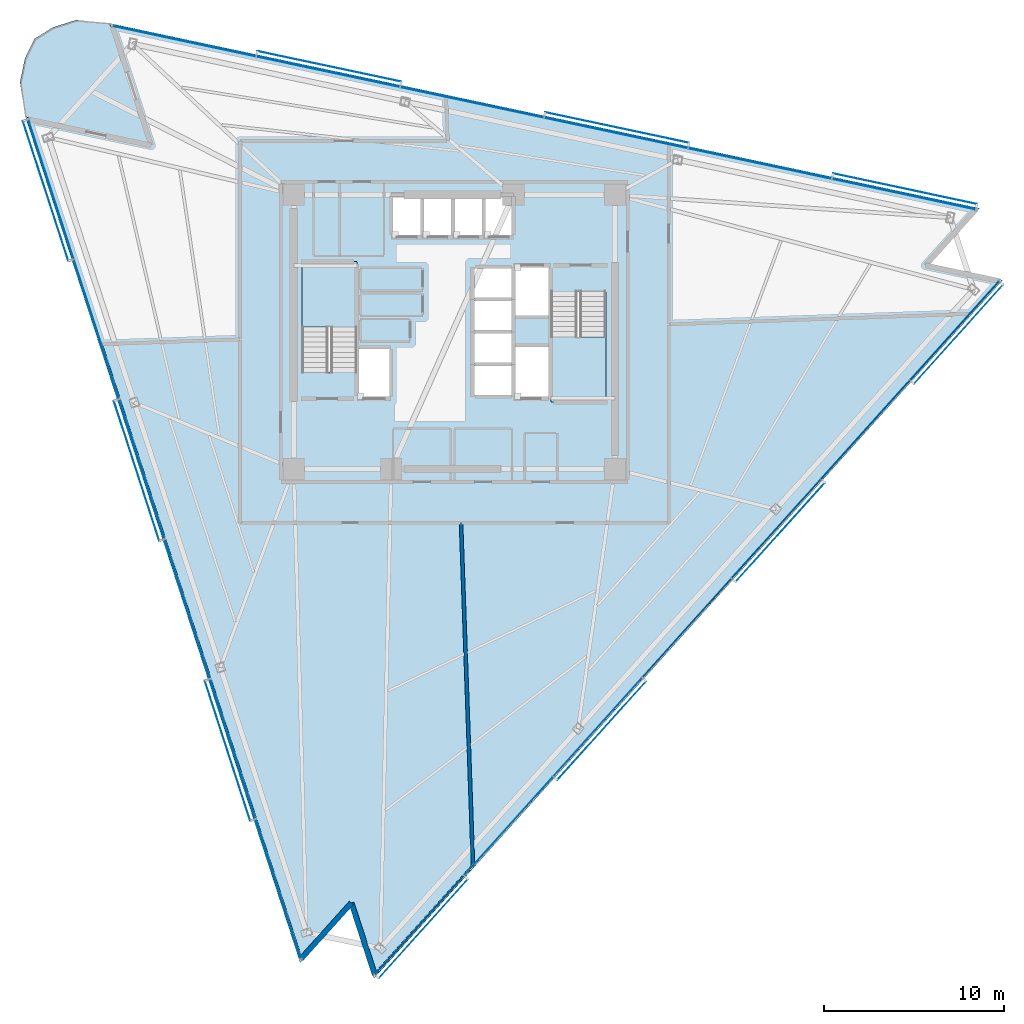
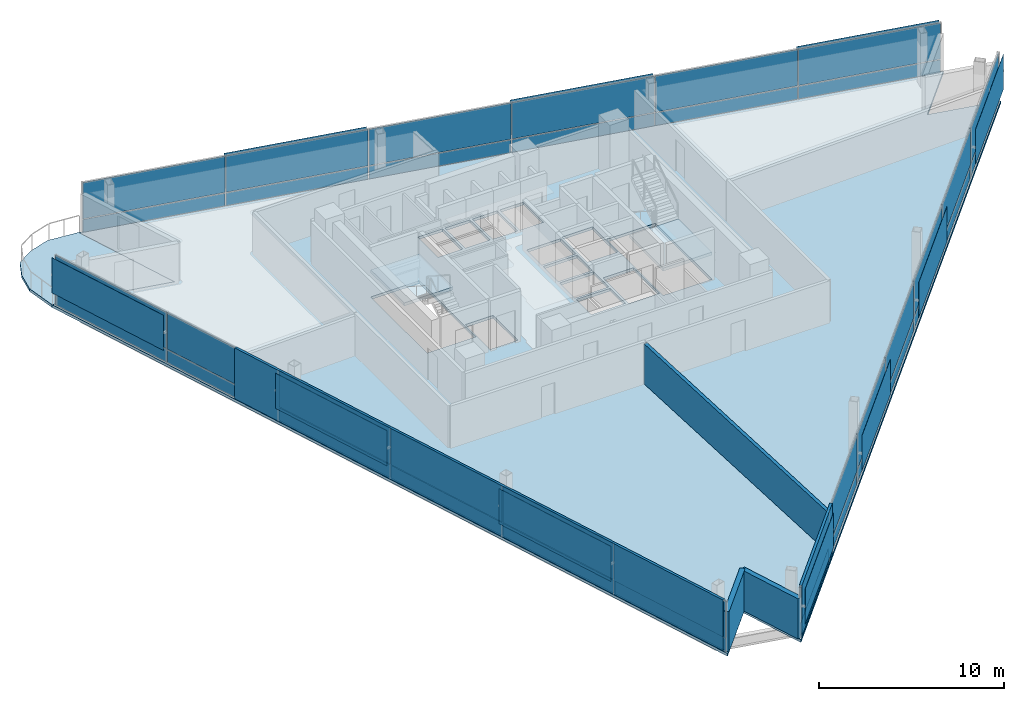
# One storey, part 9 of 17: 48 plates, 5 walls, 4 slabs, 5 elements without a shape of their own.
"""IFC4 building model written with IfcOpenShell, lengths in metres."""

import ifcopenshell
import ifcopenshell.guid

model = None  # the IFC model being written
_history = None  # IfcOwnerHistory: only IFC2X3 demands one
_inside = {}  # id of a spatial element -> (the spatial element, [elements in it])
_under = {}  # id of a project, library or spatial element -> (it, [spatial elements below it])
_declared = {}  # id of a project -> (the project, [libraries it declares])
_typed = {}  # id of a type object -> (the type object, [elements of that type])
_made_of = {}  # id of a material, layer set ... -> (it, [elements and type objects made of it])


def new_model(schema):
    """Start an empty IFC model of exactly this schema.

    Asked for "IFC4X3", IfcOpenShell would pick the latest addendum, in which some entities
    have other attributes; the version numbers below select the first issue.
    IFC2X3 requires an IfcOwnerHistory on every rooted entity: one is made here for all.
    """
    global model, _history
    if schema == "IFC4X3":
        model = ifcopenshell.file(schema_version=(4, 3, 0, 0))
    else:
        model = ifcopenshell.file(schema=schema)
    _inside.clear()
    _under.clear()
    _declared.clear()
    _typed.clear()
    _made_of.clear()
    _history = None
    if model.schema == "IFC2X3":
        org = make("IfcOrganization", Name="unknown")
        user = make(
            "IfcPersonAndOrganization",
            ThePerson=make("IfcPerson", FamilyName="unknown"),
            TheOrganization=org,
        )
        app = make(
            "IfcApplication",
            ApplicationDeveloper=org,
            Version="unknown",
            ApplicationFullName="unknown",
            ApplicationIdentifier="unknown",
        )
        _history = make(
            "IfcOwnerHistory",
            OwningUser=user,
            OwningApplication=app,
            ChangeAction="ADDED",
            CreationDate=0,
        )
    return model


def make(cls, **values):
    """One entity of the class cls with the attributes given. An attribute that is None is left unset."""
    return model.create_entity(
        cls, **{name: value for name, value in values.items() if value is not None}
    )


def rooted(cls, **values):
    """An entity with a GlobalId (a new one), such as an element, a storey or a relation."""
    return make(cls, GlobalId=ifcopenshell.guid.new(), OwnerHistory=_history, **values)


def si_unit(unit_type, name, prefix=None):
    """IfcSIUnit, for example si_unit("LENGTHUNIT", "METRE", prefix="MILLI")."""
    return make("IfcSIUnit", UnitType=unit_type, Prefix=prefix, Name=name)


def assignment(units):
    """IfcUnitAssignment: the units of a project."""
    return None if units is None else make("IfcUnitAssignment", Units=units)


def point(xyz):
    """IfcCartesianPoint."""
    return None if xyz is None else make("IfcCartesianPoint", Coordinates=xyz)


def direction(xyz):
    """IfcDirection."""
    return None if xyz is None else make("IfcDirection", DirectionRatios=xyz)


def frame(location, z_axis=None, x_axis=None):
    """IfcAxis2Placement3D, a coordinate frame: its origin and axes. An axis left out is left unset."""
    return make(
        "IfcAxis2Placement3D",
        Location=point(location),
        Axis=direction(z_axis),
        RefDirection=direction(x_axis),
    )


def frame_2d(location, x_axis=None):
    """IfcAxis2Placement2D, a coordinate frame in the plane: its origin and x axis."""
    return make(
        "IfcAxis2Placement2D", Location=point(location), RefDirection=direction(x_axis)
    )


def origin():
    """The frame at (0, 0, 0) with its axes left unset."""
    return frame((0.0, 0.0, 0.0))


def origin_2d():
    """The frame at (0, 0) in the plane with its x axis left unset."""
    return frame_2d((0.0, 0.0))


def place(relative_to, where):
    """IfcLocalPlacement: puts the frame where relative to a parent placement (None: the world)."""
    return make(
        "IfcLocalPlacement", PlacementRelTo=relative_to, RelativePlacement=where
    )


def context(
    kind, dimensions, precision=None, world=None, true_north=None, identifier=None
):
    """IfcGeometricRepresentationContext, for example the 3D "Model" context."""
    return make(
        "IfcGeometricRepresentationContext",
        ContextIdentifier=identifier,
        ContextType=kind,
        CoordinateSpaceDimension=dimensions,
        Precision=precision,
        WorldCoordinateSystem=world,
        TrueNorth=true_north,
    )


def subcontext(parent, identifier, kind, view, scale=None):
    """IfcGeometricRepresentationSubContext, for example "Body" below "Model"."""
    return make(
        "IfcGeometricRepresentationSubContext",
        ContextIdentifier=identifier,
        ContextType=kind,
        ParentContext=parent,
        TargetScale=scale,
        TargetView=view,
    )


def project(units=None, contexts=None):
    """IfcProject with its units and contexts."""
    return rooted(
        "IfcProject",
        Name="project",
        RepresentationContexts=contexts,
        UnitsInContext=assignment(units),
    )


def spatial(cls, under=None, at=None, **own):
    """A site, building, storey or space (cls), placed at a placement, below another one or the project."""
    s = rooted(cls, ObjectPlacement=at, **own)
    if under is not None:
        _under.setdefault(under.id(), (under, []))[1].append(s)
    return s


def polyline(points):
    """IfcPolyline through the points."""
    return make("IfcPolyline", Points=[point(p) for p in points])


def profile(cls, at=None, kind="AREA", **sizes):
    """A parametric profile (cls). Its sizes go by their IFC names, for example OverallWidth=200.0."""
    return make(cls, ProfileType=kind, Position=at, **sizes)


def rectangle(**sizes):
    """IfcRectangleProfileDef."""
    return profile("IfcRectangleProfileDef", **sizes)


def outline(outer, holes=None, kind="AREA"):
    """IfcArbitraryClosedProfileDef: a profile drawn as a closed curve; with holes, ...WithVoids."""
    if holes is None:
        return make("IfcArbitraryClosedProfileDef", ProfileType=kind, OuterCurve=outer)
    return make(
        "IfcArbitraryProfileDefWithVoids",
        ProfileType=kind,
        OuterCurve=outer,
        InnerCurves=holes,
    )


def extrude(swept, where, along, depth):
    """IfcExtrudedAreaSolid: the profile swept, set in the frame where, extruded along a direction by depth."""
    return make(
        "IfcExtrudedAreaSolid",
        SweptArea=swept,
        Position=where,
        ExtrudedDirection=direction(along),
        Depth=depth,
    )


def shape(context_of_items, identifier, shape_type, items):
    """IfcShapeRepresentation: the items that make up one representation, for example the "Body"."""
    return make(
        "IfcShapeRepresentation",
        ContextOfItems=context_of_items,
        RepresentationIdentifier=identifier,
        RepresentationType=shape_type,
        Items=items,
    )


def material(Name=None, Category=None):
    """IfcMaterial."""
    return make("IfcMaterial", Name=Name, Category=Category)


def layer(
    of_material, thickness, ventilated=None, Name=None, Category=None, Priority=None
):
    """IfcMaterialLayer: one layer of a wall or slab, of a material (None: an air gap)."""
    return make(
        "IfcMaterialLayer",
        Material=of_material,
        LayerThickness=thickness,
        IsVentilated=ventilated,
        Name=Name,
        Category=Category,
        Priority=Priority,
    )


def layer_set(layers, Name=None):
    """IfcMaterialLayerSet."""
    return make("IfcMaterialLayerSet", MaterialLayers=layers, LayerSetName=Name)


def made_of(thing, what):
    """Note that an element or type object is made of a material, layer set ...; save() writes the relation."""
    if what is not None:
        _made_of.setdefault(what.id(), (what, []))[1].append(thing)
    return thing


def type_object(cls, material=None, **own):
    """A type object (cls), such as IfcWallType, which elements share."""
    return made_of(rooted(cls, **own), material)


def element(
    cls,
    number,
    at=None,
    inside=None,
    cuts=None,
    type_object=None,
    material=None,
    context=None,
    identifier="Body",
    shape_type=None,
    held_by="IfcProductDefinitionShape",
    body=None,
    shapes=None,
    **own,
):
    """One element of the class cls, such as IfcWall. Its Tag is "e" and its number.

    at: its placement. inside: the storey or other place that contains it. cuts: it is an
    opening in that element (IfcRelVoidsElement). A single representation is given by context,
    identifier, shape_type and body (its items); several are given by shapes. held_by: the class
    of the entity that holds the representations. save() writes the other relations.
    """
    e = rooted(cls, Tag="e%d" % number, ObjectPlacement=at, **own)
    if body is not None:
        shapes = [shape(context, identifier, shape_type, body)]
    if shapes is not None:
        e.Representation = make(held_by, Representations=shapes)
    if inside is not None:
        _inside.setdefault(inside.id(), (inside, []))[1].append(e)
    if cuts is not None:
        rooted(
            "IfcRelVoidsElement", RelatingBuildingElement=cuts, RelatedOpeningElement=e
        )
    if type_object is not None:
        _typed.setdefault(type_object.id(), (type_object, []))[1].append(e)
    return made_of(e, material)


def aggregate(whole, parts):
    """IfcRelAggregates: a whole, such as a stair, and the parts it consists of."""
    return rooted("IfcRelAggregates", RelatingObject=whole, RelatedObjects=parts)


def save(model, path):
    """Write the relations noted so far, then the file.

    IfcRelAggregates (storeys below a building ...), IfcRelContainedInSpatialStructure (elements
    in a storey), IfcRelDefinesByType, IfcRelAssociatesMaterial and IfcRelDeclares: one each for
    every whole, place, type object, material and project.
    """
    for whole, parts in _under.values():
        aggregate(whole, parts)
    for where, things in _inside.values():
        rooted(
            "IfcRelContainedInSpatialStructure",
            RelatedElements=things,
            RelatingStructure=where,
        )
    for kind, things in _typed.values():
        rooted("IfcRelDefinesByType", RelatedObjects=things, RelatingType=kind)
    for what, things in _made_of.values():
        rooted("IfcRelAssociatesMaterial", RelatedObjects=things, RelatingMaterial=what)
    for by, libraries in _declared.values():
        rooted("IfcRelDeclares", RelatingContext=by, RelatedDefinitions=libraries)
    model.write(path)


model = new_model("IFC4")

# Units and contexts
model_context = context("Model", 3, precision=1e-05, world=origin(), true_north=direction((0.0, 1.0)))
body_context = subcontext(model_context, "Body", "Model", "MODEL_VIEW")
ifc_project = project(units=[si_unit("LENGTHUNIT", "METRE"), si_unit("AREAUNIT", "SQUARE_METRE"), si_unit("VOLUMEUNIT", "CUBIC_METRE"), si_unit("PLANEANGLEUNIT", "RADIAN"), si_unit("MASSUNIT", "GRAM", prefix="KILO")], contexts=[model_context])

# Site, building, storey
site_placement = place(None, origin())
site = spatial("IfcSite", under=ifc_project, at=site_placement, CompositionType="ELEMENT")
building_placement = place(site_placement, origin())
building = spatial("IfcBuilding", under=site, at=building_placement, Name="Tharavind Bronze Gate", CompositionType="ELEMENT")
storey_placement = place(building_placement, frame((0.0, 0.0, 218.449951171875)))
storey = spatial("IfcBuildingStorey", under=building, at=storey_placement, Name="L56", CompositionType="ELEMENT", Elevation=218.449951171875)

# Plates
ifc_material_1 = material(Name="Perforated Bronze Alloy", Category="bronze")
ifc_layer_1 = layer(ifc_material_1, 0.011962890625)
ifc_layer_set_1 = layer_set([ifc_layer_1], Name="Perforated Bronze Alloy")
plate_type_1 = type_object("IfcPlateType", Name="BRONZE PERFORATED SOLAR SCREEN", PredefinedType="USERDEFINED", material=ifc_layer_set_1)
for number, where, z_axis, x_axis, name in (
    (1, (-22.650634765625, 7.81103515625, 0.966796875), (0.0, 0.0, 1.0), (0.309016994375, -0.951056516295, 0.0), "CW-L56-S1 perforated bronze solar screen 1"),
    (2, (-17.610107421875, -7.701904296875, 0.966796875), (0.0, 0.0, 1.0), (0.309016994375, -0.951056516295, 0.0), "CW-L56-S1 perforated bronze solar screen 3"),
    (3, (-12.569580078125, -23.215087890625, 0.966796875), (0.0, 0.0, 1.0), (0.309016994375, -0.951056516295, 0.0), "CW-L56-S1 perforated bronze solar screen 5"),
):
    element("IfcPlate", number, at=place(storey_placement, frame(where, z_axis=z_axis, x_axis=x_axis)), inside=storey, type_object=plate_type_1, Name=name, ObjectType="SCREEN", PredefinedType="USERDEFINED", context=body_context, shape_type="SweptSolid", body=[
        extrude(rectangle(XDim=8.1357421875, YDim=0.011962890625, at=origin_2d()), origin(), (0.0, 0.0, 1.0), 2.326904296875),
    ])
for number, where, z_axis, x_axis, name in (
    (4, (-1.720703125, -33.081298828125, 0.966796875), (0.0, 0.0, 1.0), (0.669130606359, 0.743144825477, 0.0), "CW-L56-S2 perforated bronze solar screen 1"),
    (5, (8.168212890625, -22.098388671875, 0.966796875), (0.0, 0.0, 1.0), (0.669130606359, 0.743144825477, 0.0), "CW-L56-S2 perforated bronze solar screen 3"),
    (6, (18.057373046875, -11.115478515625, 0.966796875), (0.0, 0.0, 1.0), (0.669130606359, 0.743144825477, 0.0), "CW-L56-S2 perforated bronze solar screen 5"),
    (7, (27.9462890625, -0.132568359375, 0.966796875), (0.0, 0.0, 1.0), (0.669130606359, 0.743144825477, 0.0), "CW-L56-S2 perforated bronze solar screen 7"),
):
    element("IfcPlate", number, at=place(storey_placement, frame(where, z_axis=z_axis, x_axis=x_axis)), inside=storey, type_object=plate_type_1, Name=name, ObjectType="SCREEN", PredefinedType="USERDEFINED", context=body_context, shape_type="SweptSolid", body=[
        extrude(rectangle(XDim=7.369384765625, YDim=0.011962890625, at=origin_2d()), origin(), (0.0, 0.0, 1.0), 2.326904296875),
    ])
for number, where, z_axis, x_axis, name in (
    (8, (24.977783203125, 7.929931640625, 0.966796875), (0.0, 0.0, 1.0), (-0.978147600734, 0.207911690818, 0.0), "CW-L56-S3 perforated bronze solar screen 1"),
    (9, (9.022705078125, 11.3212890625, 0.966796875), (0.0, 0.0, 1.0), (-0.978147600734, 0.207911690818, 0.0), "CW-L56-S3 perforated bronze solar screen 3"),
    (10, (-6.93212890625, 14.712646484375, 0.966796875), (0.0, 0.0, 1.0), (-0.978147600734, 0.207911690818, 0.0), "CW-L56-S3 perforated bronze solar screen 5"),
):
    element("IfcPlate", number, at=place(storey_placement, frame(where, z_axis=z_axis, x_axis=x_axis)), inside=storey, type_object=plate_type_1, Name=name, ObjectType="SCREEN", PredefinedType="USERDEFINED", context=body_context, shape_type="SweptSolid", body=[
        extrude(rectangle(XDim=8.1357421875, YDim=0.011962890625, at=origin_2d()), origin(), (0.0, 0.0, 1.0), 2.326904296875),
    ])

# Curtain wall, plates
ifc_material_2 = material(Name="Anodised Bronze Aluminium", Category="aluminium")
ifc_layer_2 = layer(ifc_material_2, 0.219970703125)
ifc_layer_set_2 = layer_set([ifc_layer_2], Name="Anodised Bronze Aluminium")
curtain_wall_type = type_object("IfcCurtainWallType", Name="UNITISED CURTAIN WALL MID OFFICE", PredefinedType="USERDEFINED", material=ifc_layer_set_2)
curtain_wall_1_placement = place(storey_placement, origin())
curtain_wall_1 = element("IfcCurtainWall", 11, at=curtain_wall_1_placement, inside=storey, type_object=curtain_wall_type, Name="L56 unitised curtain wall mid office CW-L56-S1", ObjectType="UNITISED CURTAIN WALL", PredefinedType="USERDEFINED")
ifc_material_3 = material(Name="Patinated Bronze Alloy Sheet", Category="bronze")
ifc_layer_3 = layer(ifc_material_3, 0.01611328125)
ifc_layer_set_3 = layer_set([ifc_layer_3], Name="Patinated Bronze Alloy Sheet")
plate_type_2 = type_object("IfcPlateType", Name="BRONZE SPANDREL CLADDING PANEL 16", PredefinedType="CURTAIN_PANEL", material=ifc_layer_set_3)
plate_1_placement = place(storey_placement, frame((-22.3701171875, 7.902099609375, 0.0263671875), z_axis=(0.0, 0.0, 1.0), x_axis=(0.309016994375, -0.951056516295, 0.0)))
plate_1 = element("IfcPlate", 12, at=plate_1_placement, type_object=plate_type_2, Name="CW-L56-S1 bronze spandrel panel 1", PredefinedType="CURTAIN_PANEL", context=body_context, shape_type="SweptSolid", body=[
    extrude(rectangle(XDim=8.102783203125, YDim=0.01611328125, at=origin_2d()), origin(), (0.0, 0.0, 1.0), 0.846923828125),
])
plate_2_placement = place(storey_placement, frame((-19.849853515625, 0.145751953125, 0.0263671875), z_axis=(0.0, 0.0, 1.0), x_axis=(0.309016994375, -0.951056516295, 0.0)))
plate_2 = element("IfcPlate", 13, at=plate_2_placement, type_object=plate_type_2, Name="CW-L56-S1 bronze spandrel panel 2", PredefinedType="CURTAIN_PANEL", context=body_context, shape_type="SweptSolid", body=[
    extrude(rectangle(XDim=8.102783203125, YDim=0.01611328125, at=origin_2d()), origin(), (0.0, 0.0, 1.0), 0.846923828125),
])
plate_3_placement = place(storey_placement, frame((-17.32958984375, -7.61083984375, 0.0263671875), z_axis=(0.0, 0.0, 1.0), x_axis=(0.309016994375, -0.951056516295, 0.0)))
plate_3 = element("IfcPlate", 14, at=plate_3_placement, type_object=plate_type_2, Name="CW-L56-S1 bronze spandrel panel 3", PredefinedType="CURTAIN_PANEL", context=body_context, shape_type="SweptSolid", body=[
    extrude(rectangle(XDim=8.102783203125, YDim=0.01611328125, at=origin_2d()), origin(), (0.0, 0.0, 1.0), 0.846923828125),
])
plate_4_placement = place(storey_placement, frame((-14.809326171875, -15.367431640625, 0.0263671875), z_axis=(0.0, 0.0, 1.0), x_axis=(0.309016994375, -0.951056516295, 0.0)))
plate_4 = element("IfcPlate", 15, at=plate_4_placement, type_object=plate_type_2, Name="CW-L56-S1 bronze spandrel panel 4", PredefinedType="CURTAIN_PANEL", context=body_context, shape_type="SweptSolid", body=[
    extrude(rectangle(XDim=8.102783203125, YDim=0.01611328125, at=origin_2d()), origin(), (0.0, 0.0, 1.0), 0.846923828125),
])
plate_5_placement = place(storey_placement, frame((-12.2890625, -23.123779296875, 0.0263671875), z_axis=(0.0, 0.0, 1.0), x_axis=(0.309016994375, -0.951056516295, 0.0)))
plate_5 = element("IfcPlate", 16, at=plate_5_placement, type_object=plate_type_2, Name="CW-L56-S1 bronze spandrel panel 5", PredefinedType="CURTAIN_PANEL", context=body_context, shape_type="SweptSolid", body=[
    extrude(rectangle(XDim=8.102783203125, YDim=0.01611328125, at=origin_2d()), origin(), (0.0, 0.0, 1.0), 0.846923828125),
])
plate_6_placement = place(storey_placement, frame((-9.768798828125, -30.88037109375, 0.0263671875), z_axis=(0.0, 0.0, 1.0), x_axis=(0.309016994375, -0.951056516295, 0.0)))
plate_6 = element("IfcPlate", 17, at=plate_6_placement, type_object=plate_type_2, Name="CW-L56-S1 bronze spandrel panel 6", PredefinedType="CURTAIN_PANEL", context=body_context, shape_type="SweptSolid", body=[
    extrude(rectangle(XDim=8.102783203125, YDim=0.01611328125, at=origin_2d()), origin(), (0.0, 0.0, 1.0), 0.846923828125),
])

curtain_wall_2_placement = place(storey_placement, origin())
curtain_wall_2 = element("IfcCurtainWall", 18, at=curtain_wall_2_placement, inside=storey, type_object=curtain_wall_type, Name="L56 unitised curtain wall mid office CW-L56-S2", ObjectType="UNITISED CURTAIN WALL", PredefinedType="USERDEFINED")
plate_7_placement = place(storey_placement, frame((-1.93994140625, -32.8837890625, 0.0263671875), z_axis=(0.0, 0.0, 1.0), x_axis=(0.669130606359, 0.743144825477, 0.0)))
plate_7 = element("IfcPlate", 19, at=plate_7_placement, type_object=plate_type_2, Name="CW-L56-S2 bronze spandrel panel 1", PredefinedType="CURTAIN_PANEL", context=body_context, shape_type="SweptSolid", body=[
    extrude(rectangle(XDim=7.33642578125, YDim=0.01611328125, at=origin_2d()), origin(), (0.0, 0.0, 1.0), 0.846923828125),
])
plate_8_placement = place(storey_placement, frame((3.004638671875, -27.392333984375, 0.0263671875), z_axis=(0.0, 0.0, 1.0), x_axis=(0.669130606359, 0.743144825477, 0.0)))
plate_8 = element("IfcPlate", 20, at=plate_8_placement, type_object=plate_type_2, Name="CW-L56-S2 bronze spandrel panel 2", PredefinedType="CURTAIN_PANEL", context=body_context, shape_type="SweptSolid", body=[
    extrude(rectangle(XDim=7.33642578125, YDim=0.01611328125, at=origin_2d()), origin(), (0.0, 0.0, 1.0), 0.846923828125),
])
plate_9_placement = place(storey_placement, frame((7.94921875, -21.90087890625, 0.0263671875), z_axis=(0.0, 0.0, 1.0), x_axis=(0.669130606359, 0.743144825477, 0.0)))
plate_9 = element("IfcPlate", 21, at=plate_9_placement, type_object=plate_type_2, Name="CW-L56-S2 bronze spandrel panel 3", PredefinedType="CURTAIN_PANEL", context=body_context, shape_type="SweptSolid", body=[
    extrude(rectangle(XDim=7.33642578125, YDim=0.01611328125, at=origin_2d()), origin(), (0.0, 0.0, 1.0), 0.846923828125),
])
plate_10_placement = place(storey_placement, frame((12.8935546875, -16.409423828125, 0.0263671875), z_axis=(0.0, 0.0, 1.0), x_axis=(0.669130606359, 0.743144825477, 0.0)))
plate_10 = element("IfcPlate", 22, at=plate_10_placement, type_object=plate_type_2, Name="CW-L56-S2 bronze spandrel panel 4", PredefinedType="CURTAIN_PANEL", context=body_context, shape_type="SweptSolid", body=[
    extrude(rectangle(XDim=7.33642578125, YDim=0.01611328125, at=origin_2d()), origin(), (0.0, 0.0, 1.0), 0.846923828125),
])
plate_11_placement = place(storey_placement, frame((17.838134765625, -10.91796875, 0.0263671875), z_axis=(0.0, 0.0, 1.0), x_axis=(0.669130606359, 0.743144825477, 0.0)))
plate_11 = element("IfcPlate", 23, at=plate_11_placement, type_object=plate_type_2, Name="CW-L56-S2 bronze spandrel panel 5", PredefinedType="CURTAIN_PANEL", context=body_context, shape_type="SweptSolid", body=[
    extrude(rectangle(XDim=7.33642578125, YDim=0.01611328125, at=origin_2d()), origin(), (0.0, 0.0, 1.0), 0.846923828125),
])
plate_12_placement = place(storey_placement, frame((22.78271484375, -5.426513671875, 0.0263671875), z_axis=(0.0, 0.0, 1.0), x_axis=(0.669130606359, 0.743144825477, 0.0)))
plate_12 = element("IfcPlate", 24, at=plate_12_placement, type_object=plate_type_2, Name="CW-L56-S2 bronze spandrel panel 6", PredefinedType="CURTAIN_PANEL", context=body_context, shape_type="SweptSolid", body=[
    extrude(rectangle(XDim=7.33642578125, YDim=0.01611328125, at=origin_2d()), origin(), (0.0, 0.0, 1.0), 0.846923828125),
])
plate_13_placement = place(storey_placement, frame((27.72705078125, 0.06494140625, 0.0263671875), z_axis=(0.0, 0.0, 1.0), x_axis=(0.669130606359, 0.743144825477, 0.0)))
plate_13 = element("IfcPlate", 25, at=plate_13_placement, type_object=plate_type_2, Name="CW-L56-S2 bronze spandrel panel 7", PredefinedType="CURTAIN_PANEL", context=body_context, shape_type="SweptSolid", body=[
    extrude(rectangle(XDim=7.33642578125, YDim=0.01611328125, at=origin_2d()), origin(), (0.0, 0.0, 1.0), 0.846923828125),
])

curtain_wall_3_placement = place(storey_placement, origin())
curtain_wall_3 = element("IfcCurtainWall", 26, at=curtain_wall_3_placement, inside=storey, type_object=curtain_wall_type, Name="L56 unitised curtain wall mid office CW-L56-S3", ObjectType="UNITISED CURTAIN WALL", PredefinedType="USERDEFINED")
plate_14_placement = place(storey_placement, frame((24.91650390625, 7.641357421875, 0.0263671875), z_axis=(0.0, 0.0, 1.0), x_axis=(-0.978147600734, 0.207911690818, 0.0)))
plate_14 = element("IfcPlate", 27, at=plate_14_placement, type_object=plate_type_2, Name="CW-L56-S3 bronze spandrel panel 1", PredefinedType="CURTAIN_PANEL", context=body_context, shape_type="SweptSolid", body=[
    extrude(rectangle(XDim=8.102783203125, YDim=0.01611328125, at=origin_2d()), origin(), (0.0, 0.0, 1.0), 0.846923828125),
])
plate_15_placement = place(storey_placement, frame((16.93896484375, 9.337158203125, 0.0263671875), z_axis=(0.0, 0.0, 1.0), x_axis=(-0.978147600734, 0.207911690818, 0.0)))
plate_15 = element("IfcPlate", 28, at=plate_15_placement, type_object=plate_type_2, Name="CW-L56-S3 bronze spandrel panel 2", PredefinedType="CURTAIN_PANEL", context=body_context, shape_type="SweptSolid", body=[
    extrude(rectangle(XDim=8.102783203125, YDim=0.01611328125, at=origin_2d()), origin(), (0.0, 0.0, 1.0), 0.846923828125),
])
plate_16_placement = place(storey_placement, frame((8.96142578125, 11.03271484375, 0.0263671875), z_axis=(0.0, 0.0, 1.0), x_axis=(-0.978147600734, 0.207911690818, 0.0)))
plate_16 = element("IfcPlate", 29, at=plate_16_placement, type_object=plate_type_2, Name="CW-L56-S3 bronze spandrel panel 3", PredefinedType="CURTAIN_PANEL", context=body_context, shape_type="SweptSolid", body=[
    extrude(rectangle(XDim=8.102783203125, YDim=0.01611328125, at=origin_2d()), origin(), (0.0, 0.0, 1.0), 0.846923828125),
])
plate_17_placement = place(storey_placement, frame((0.98388671875, 12.728515625, 0.0263671875), z_axis=(0.0, 0.0, 1.0), x_axis=(-0.978147600734, 0.207911690818, 0.0)))
plate_17 = element("IfcPlate", 30, at=plate_17_placement, type_object=plate_type_2, Name="CW-L56-S3 bronze spandrel panel 4", PredefinedType="CURTAIN_PANEL", context=body_context, shape_type="SweptSolid", body=[
    extrude(rectangle(XDim=8.102783203125, YDim=0.01611328125, at=origin_2d()), origin(), (0.0, 0.0, 1.0), 0.846923828125),
])
plate_18_placement = place(storey_placement, frame((-6.993408203125, 14.424072265625, 0.0263671875), z_axis=(0.0, 0.0, 1.0), x_axis=(-0.978147600734, 0.207911690818, 0.0)))
plate_18 = element("IfcPlate", 31, at=plate_18_placement, type_object=plate_type_2, Name="CW-L56-S3 bronze spandrel panel 5", PredefinedType="CURTAIN_PANEL", context=body_context, shape_type="SweptSolid", body=[
    extrude(rectangle(XDim=8.102783203125, YDim=0.01611328125, at=origin_2d()), origin(), (0.0, 0.0, 1.0), 0.846923828125),
])
plate_19_placement = place(storey_placement, frame((-14.970947265625, 16.119873046875, 0.0263671875), z_axis=(0.0, 0.0, 1.0), x_axis=(-0.978147600734, 0.207911690818, 0.0)))
plate_19 = element("IfcPlate", 32, at=plate_19_placement, type_object=plate_type_2, Name="CW-L56-S3 bronze spandrel panel 6", PredefinedType="CURTAIN_PANEL", context=body_context, shape_type="SweptSolid", body=[
    extrude(rectangle(XDim=8.102783203125, YDim=0.01611328125, at=origin_2d()), origin(), (0.0, 0.0, 1.0), 0.846923828125),
])

# Slab
ifc_material_4 = material(Name="Concrete C40/50", Category="concrete")
ifc_layer_4 = layer(ifc_material_4, 0.179931640625)
ifc_layer_set_4 = layer_set([ifc_layer_4], Name="Concrete C40/50")
slab_type_1 = type_object("IfcSlabType", Name="EXTERIOR BALCONY SLAB 180", PredefinedType="FLOOR", material=ifc_layer_set_4)
slab_1_placement = place(storey_placement, frame((0.0, 0.0, -0.179931640625)))
element("IfcSlab", 33, at=slab_1_placement, inside=storey, type_object=slab_type_1, Name="L56 northeast tree balcony slab", PredefinedType="FLOOR", context=body_context, shape_type="SweptSolid", body=[
    extrude(outline(polyline([(-20.960693359375, 17.28564453125), (-22.246337890625, 16.877685546875), (-23.275634765625, 16.239013671875), (-23.80322265625, 15.148681640625), (-24.074462890625, 13.82763671875), (-23.77880859375, 11.914306640625), (-16.951416015625, 10.463134765625), (-19.1083984375, 17.101318359375), (-20.960693359375, 17.28564453125)])), origin(), (0.0, 0.0, 1.0), 0.179931640625),
])

# Stair, slab
stair_type = type_object("IfcStairType", Name="CORE HALF TURN STAIR 1450", PredefinedType="HALF_TURN_STAIR", material=ifc_material_4)
stair_1_placement = place(storey_placement, origin())
stair_1 = element("IfcStair", 34, at=stair_1_placement, inside=storey, type_object=stair_type, Name="L56 Protected Exit Stair ST1", PredefinedType="HALF_TURN_STAIR")
ifc_layer_5 = layer(ifc_material_4, 0.199951171875)
ifc_layer_set_5 = layer_set([ifc_layer_5], Name="Concrete C40/50")
slab_type_2 = type_object("IfcSlabType", Name="STAIR LANDING SLAB 200", PredefinedType="LANDING", material=ifc_layer_set_5)
slab_2_placement = place(storey_placement, frame((0.0, 0.0, 1.60009765625)))
slab_2 = element("IfcSlab", 35, at=slab_2_placement, type_object=slab_type_2, Name="ST1 landing 1", PredefinedType="LANDING", context=body_context, shape_type="SweptSolid", body=[
    extrude(outline(polyline([(-5.39990234375, 0.27001953125), (-5.39990234375, 3.89990234375), (-8.449951171875, 3.89990234375), (-8.449951171875, 0.27001953125), (-5.39990234375, 0.27001953125)])), origin(), (0.0, 0.0, 1.0), 0.199951171875),
])
aggregate(stair_1, [slab_2])

stair_2_placement = place(storey_placement, origin())
stair_2 = element("IfcStair", 36, at=stair_2_placement, inside=storey, type_object=stair_type, Name="L56 Protected Exit Stair ST2", PredefinedType="HALF_TURN_STAIR")
slab_3_placement = place(storey_placement, frame((0.0, 0.0, 1.60009765625)))
slab_3 = element("IfcSlab", 37, at=slab_3_placement, type_object=slab_type_2, Name="ST2 landing 1", PredefinedType="LANDING", context=body_context, shape_type="SweptSolid", body=[
    extrude(outline(polyline([(5.35009765625, -0.27001953125), (5.35009765625, -3.89990234375), (8.39990234375, -3.89990234375), (8.39990234375, -0.27001953125), (5.35009765625, -0.27001953125)])), origin(), (0.0, 0.0, 1.0), 0.199951171875),
])
aggregate(stair_2, [slab_3])

# Slab
ifc_layer_6 = layer(ifc_material_4, 0.179931640625)
ifc_layer_set_6 = layer_set([ifc_layer_6], Name="Concrete C40/50")
slab_type_3 = type_object("IfcSlabType", Name="STRUCTURAL FLOOR SLAB 180", PredefinedType="FLOOR", material=ifc_layer_set_6)
slab_4_placement = place(storey_placement, frame((0.0, 0.0, -0.179931640625)))
element("IfcSlab", 38, at=slab_4_placement, inside=storey, type_object=slab_type_3, Name="L56 main structural floor slab", PredefinedType="FLOOR", context=body_context, shape_type="SweptSolid", body=[
    extrude(outline(polyline([(-19.1083984375, 17.101318359375), (-16.951416015625, 10.463134765625), (-23.77880859375, 11.914306640625), (-8.55029296875, -34.954345703125), (-5.748046875, -31.842041015625), (-4.453857421875, -35.8251953125), (30.3896484375, 2.872314453125), (26.293212890625, 3.7431640625), (29.095458984375, 6.85546875), (-19.1083984375, 17.101318359375)]), holes=[polyline([(-5.39990234375, -2.215087890625), (-5.39990234375, 3.89990234375), (-8.449951171875, 3.89990234375), (-8.449951171875, -2.215087890625), (-5.39990234375, -2.215087890625)]), polyline([(5.35009765625, 2.215087890625), (5.35009765625, -3.89990234375), (8.39990234375, -3.89990234375), (8.39990234375, 2.215087890625), (5.35009765625, 2.215087890625)]), polyline([(-3.419921875, 5.330078125), (-1.867431640625, 5.330078125), (-1.867431640625, 7.52001953125), (-3.419921875, 7.52001953125), (-3.419921875, 5.330078125)]), polyline([(-1.70751953125, 5.330078125), (-0.155029296875, 5.330078125), (-0.155029296875, 7.52001953125), (-1.70751953125, 7.52001953125), (-1.70751953125, 5.330078125)]), polyline([(0.0048828125, 5.330078125), (1.5576171875, 5.330078125), (1.5576171875, 7.52001953125), (0.0048828125, 7.52001953125), (0.0048828125, 5.330078125)]), polyline([(1.717529296875, 5.330078125), (3.199951171875, 5.330078125), (3.199951171875, 7.52001953125), (1.717529296875, 7.52001953125), (1.717529296875, 5.330078125)]), polyline([(1.080078125, -3.52001953125), (3.199951171875, -3.52001953125), (3.199951171875, -1.8798828125), (1.080078125, -1.8798828125), (1.080078125, -3.52001953125)]), polyline([(1.080078125, -1.719970703125), (3.199951171875, -1.719970703125), (3.199951171875, -0.080078125), (1.080078125, -0.080078125), (1.080078125, -1.719970703125)]), polyline([(1.080078125, 0.080078125), (3.199951171875, 0.080078125), (3.199951171875, 1.719970703125), (1.080078125, 1.719970703125), (1.080078125, 0.080078125)]), polyline([(1.080078125, 1.8798828125), (3.199951171875, 1.8798828125), (3.199951171875, 3.52001953125), (1.080078125, 3.52001953125), (1.080078125, 1.8798828125)]), polyline([(-5.320068359375, -3.6201171875), (-3.580078125, -3.6201171875), (-3.580078125, -0.929931640625), (-5.320068359375, -0.929931640625), (-5.320068359375, -3.6201171875)]), polyline([(3.360107421875, 0.8798828125), (5.27001953125, 0.8798828125), (5.27001953125, 3.6201171875), (3.360107421875, 3.6201171875), (3.360107421875, 0.8798828125)]), polyline([(3.360107421875, -3.6201171875), (5.27001953125, -3.6201171875), (5.27001953125, -0.830078125), (3.360107421875, -0.830078125), (3.360107421875, -3.6201171875)])]), origin(), (0.0, 0.0, 1.0), 0.179931640625),
])

# Plate
ifc_material_5 = material(Name="Triple Solar Control Glazing", Category="glass")
ifc_layer_7 = layer(ifc_material_5, 0.0439453125)
ifc_layer_set_7 = layer_set([ifc_layer_7], Name="Triple Solar Control Glazing")
plate_type_3 = type_object("IfcPlateType", Name="TRIPLE GLAZED FACADE PANEL 44", PredefinedType="CURTAIN_PANEL", material=ifc_layer_set_7)
plate_20_placement = place(storey_placement, frame((-22.3701171875, 7.902099609375, 0.9267578125), z_axis=(0.0, 0.0, 1.0), x_axis=(0.309016994375, -0.951056516295, 0.0)))
plate_20 = element("IfcPlate", 39, at=plate_20_placement, type_object=plate_type_3, Name="CW-L56-S1 vision glazing panel 1", PredefinedType="CURTAIN_PANEL", context=body_context, shape_type="SweptSolid", body=[
    extrude(rectangle(XDim=8.102783203125, YDim=0.0439453125, at=origin_2d()), origin(), (0.0, 0.0, 1.0), 2.406982421875),
])

plate_21_placement = place(storey_placement, frame((-19.849853515625, 0.145751953125, 0.9267578125), z_axis=(0.0, 0.0, 1.0), x_axis=(0.309016994375, -0.951056516295, 0.0)))
plate_21 = element("IfcPlate", 40, at=plate_21_placement, type_object=plate_type_3, Name="CW-L56-S1 vision glazing panel 2", PredefinedType="CURTAIN_PANEL", context=body_context, shape_type="SweptSolid", body=[
    extrude(rectangle(XDim=8.102783203125, YDim=0.0439453125, at=origin_2d()), origin(), (0.0, 0.0, 1.0), 2.406982421875),
])

plate_22_placement = place(storey_placement, frame((-17.32958984375, -7.61083984375, 0.9267578125), z_axis=(0.0, 0.0, 1.0), x_axis=(0.309016994375, -0.951056516295, 0.0)))
plate_22 = element("IfcPlate", 41, at=plate_22_placement, type_object=plate_type_3, Name="CW-L56-S1 vision glazing panel 3", PredefinedType="CURTAIN_PANEL", context=body_context, shape_type="SweptSolid", body=[
    extrude(rectangle(XDim=8.102783203125, YDim=0.0439453125, at=origin_2d()), origin(), (0.0, 0.0, 1.0), 2.406982421875),
])

plate_23_placement = place(storey_placement, frame((-14.809326171875, -15.367431640625, 0.9267578125), z_axis=(0.0, 0.0, 1.0), x_axis=(0.309016994375, -0.951056516295, 0.0)))
plate_23 = element("IfcPlate", 42, at=plate_23_placement, type_object=plate_type_3, Name="CW-L56-S1 vision glazing panel 4", PredefinedType="CURTAIN_PANEL", context=body_context, shape_type="SweptSolid", body=[
    extrude(rectangle(XDim=8.102783203125, YDim=0.0439453125, at=origin_2d()), origin(), (0.0, 0.0, 1.0), 2.406982421875),
])

plate_24_placement = place(storey_placement, frame((-12.2890625, -23.123779296875, 0.9267578125), z_axis=(0.0, 0.0, 1.0), x_axis=(0.309016994375, -0.951056516295, 0.0)))
plate_24 = element("IfcPlate", 43, at=plate_24_placement, type_object=plate_type_3, Name="CW-L56-S1 vision glazing panel 5", PredefinedType="CURTAIN_PANEL", context=body_context, shape_type="SweptSolid", body=[
    extrude(rectangle(XDim=8.102783203125, YDim=0.0439453125, at=origin_2d()), origin(), (0.0, 0.0, 1.0), 2.406982421875),
])

plate_25_placement = place(storey_placement, frame((-9.768798828125, -30.88037109375, 0.9267578125), z_axis=(0.0, 0.0, 1.0), x_axis=(0.309016994375, -0.951056516295, 0.0)))
plate_25 = element("IfcPlate", 44, at=plate_25_placement, type_object=plate_type_3, Name="CW-L56-S1 vision glazing panel 6", PredefinedType="CURTAIN_PANEL", context=body_context, shape_type="SweptSolid", body=[
    extrude(rectangle(XDim=8.102783203125, YDim=0.0439453125, at=origin_2d()), origin(), (0.0, 0.0, 1.0), 2.406982421875),
])

aggregate(curtain_wall_1, [plate_1, plate_20, plate_2, plate_21, plate_3, plate_22, plate_4, plate_23, plate_5, plate_24, plate_6, plate_25])

plate_26_placement = place(storey_placement, frame((-1.93994140625, -32.8837890625, 0.9267578125), z_axis=(0.0, 0.0, 1.0), x_axis=(0.669130606359, 0.743144825477, 0.0)))
plate_26 = element("IfcPlate", 45, at=plate_26_placement, type_object=plate_type_3, Name="CW-L56-S2 vision glazing panel 1", PredefinedType="CURTAIN_PANEL", context=body_context, shape_type="SweptSolid", body=[
    extrude(rectangle(XDim=7.33642578125, YDim=0.0439453125, at=origin_2d()), origin(), (0.0, 0.0, 1.0), 2.406982421875),
])

plate_27_placement = place(storey_placement, frame((3.004638671875, -27.392333984375, 0.9267578125), z_axis=(0.0, 0.0, 1.0), x_axis=(0.669130606359, 0.743144825477, 0.0)))
plate_27 = element("IfcPlate", 46, at=plate_27_placement, type_object=plate_type_3, Name="CW-L56-S2 vision glazing panel 2", PredefinedType="CURTAIN_PANEL", context=body_context, shape_type="SweptSolid", body=[
    extrude(rectangle(XDim=7.33642578125, YDim=0.0439453125, at=origin_2d()), origin(), (0.0, 0.0, 1.0), 2.406982421875),
])

plate_28_placement = place(storey_placement, frame((7.94921875, -21.90087890625, 0.9267578125), z_axis=(0.0, 0.0, 1.0), x_axis=(0.669130606359, 0.743144825477, 0.0)))
plate_28 = element("IfcPlate", 47, at=plate_28_placement, type_object=plate_type_3, Name="CW-L56-S2 vision glazing panel 3", PredefinedType="CURTAIN_PANEL", context=body_context, shape_type="SweptSolid", body=[
    extrude(rectangle(XDim=7.33642578125, YDim=0.0439453125, at=origin_2d()), origin(), (0.0, 0.0, 1.0), 2.406982421875),
])

plate_29_placement = place(storey_placement, frame((12.8935546875, -16.409423828125, 0.9267578125), z_axis=(0.0, 0.0, 1.0), x_axis=(0.669130606359, 0.743144825477, 0.0)))
plate_29 = element("IfcPlate", 48, at=plate_29_placement, type_object=plate_type_3, Name="CW-L56-S2 vision glazing panel 4", PredefinedType="CURTAIN_PANEL", context=body_context, shape_type="SweptSolid", body=[
    extrude(rectangle(XDim=7.33642578125, YDim=0.0439453125, at=origin_2d()), origin(), (0.0, 0.0, 1.0), 2.406982421875),
])

plate_30_placement = place(storey_placement, frame((17.838134765625, -10.91796875, 0.9267578125), z_axis=(0.0, 0.0, 1.0), x_axis=(0.669130606359, 0.743144825477, 0.0)))
plate_30 = element("IfcPlate", 49, at=plate_30_placement, type_object=plate_type_3, Name="CW-L56-S2 vision glazing panel 5", PredefinedType="CURTAIN_PANEL", context=body_context, shape_type="SweptSolid", body=[
    extrude(rectangle(XDim=7.33642578125, YDim=0.0439453125, at=origin_2d()), origin(), (0.0, 0.0, 1.0), 2.406982421875),
])

plate_31_placement = place(storey_placement, frame((22.78271484375, -5.426513671875, 0.9267578125), z_axis=(0.0, 0.0, 1.0), x_axis=(0.669130606359, 0.743144825477, 0.0)))
plate_31 = element("IfcPlate", 50, at=plate_31_placement, type_object=plate_type_3, Name="CW-L56-S2 vision glazing panel 6", PredefinedType="CURTAIN_PANEL", context=body_context, shape_type="SweptSolid", body=[
    extrude(rectangle(XDim=7.33642578125, YDim=0.0439453125, at=origin_2d()), origin(), (0.0, 0.0, 1.0), 2.406982421875),
])

plate_32_placement = place(storey_placement, frame((27.72705078125, 0.06494140625, 0.9267578125), z_axis=(0.0, 0.0, 1.0), x_axis=(0.669130606359, 0.743144825477, 0.0)))
plate_32 = element("IfcPlate", 51, at=plate_32_placement, type_object=plate_type_3, Name="CW-L56-S2 vision glazing panel 7", PredefinedType="CURTAIN_PANEL", context=body_context, shape_type="SweptSolid", body=[
    extrude(rectangle(XDim=7.33642578125, YDim=0.0439453125, at=origin_2d()), origin(), (0.0, 0.0, 1.0), 2.406982421875),
])

aggregate(curtain_wall_2, [plate_7, plate_26, plate_8, plate_27, plate_9, plate_28, plate_10, plate_29, plate_11, plate_30, plate_12, plate_31, plate_13, plate_32])

plate_33_placement = place(storey_placement, frame((24.91650390625, 7.641357421875, 0.9267578125), z_axis=(0.0, 0.0, 1.0), x_axis=(-0.978147600734, 0.207911690818, 0.0)))
plate_33 = element("IfcPlate", 52, at=plate_33_placement, type_object=plate_type_3, Name="CW-L56-S3 vision glazing panel 1", PredefinedType="CURTAIN_PANEL", context=body_context, shape_type="SweptSolid", body=[
    extrude(rectangle(XDim=8.102783203125, YDim=0.0439453125, at=origin_2d()), origin(), (0.0, 0.0, 1.0), 2.406982421875),
])

plate_34_placement = place(storey_placement, frame((16.93896484375, 9.337158203125, 0.9267578125), z_axis=(0.0, 0.0, 1.0), x_axis=(-0.978147600734, 0.207911690818, 0.0)))
plate_34 = element("IfcPlate", 53, at=plate_34_placement, type_object=plate_type_3, Name="CW-L56-S3 vision glazing panel 2", PredefinedType="CURTAIN_PANEL", context=body_context, shape_type="SweptSolid", body=[
    extrude(rectangle(XDim=8.102783203125, YDim=0.0439453125, at=origin_2d()), origin(), (0.0, 0.0, 1.0), 2.406982421875),
])

plate_35_placement = place(storey_placement, frame((8.96142578125, 11.03271484375, 0.9267578125), z_axis=(0.0, 0.0, 1.0), x_axis=(-0.978147600734, 0.207911690818, 0.0)))
plate_35 = element("IfcPlate", 54, at=plate_35_placement, type_object=plate_type_3, Name="CW-L56-S3 vision glazing panel 3", PredefinedType="CURTAIN_PANEL", context=body_context, shape_type="SweptSolid", body=[
    extrude(rectangle(XDim=8.102783203125, YDim=0.0439453125, at=origin_2d()), origin(), (0.0, 0.0, 1.0), 2.406982421875),
])

plate_36_placement = place(storey_placement, frame((0.98388671875, 12.728515625, 0.9267578125), z_axis=(0.0, 0.0, 1.0), x_axis=(-0.978147600734, 0.207911690818, 0.0)))
plate_36 = element("IfcPlate", 55, at=plate_36_placement, type_object=plate_type_3, Name="CW-L56-S3 vision glazing panel 4", PredefinedType="CURTAIN_PANEL", context=body_context, shape_type="SweptSolid", body=[
    extrude(rectangle(XDim=8.102783203125, YDim=0.0439453125, at=origin_2d()), origin(), (0.0, 0.0, 1.0), 2.406982421875),
])

plate_37_placement = place(storey_placement, frame((-6.993408203125, 14.424072265625, 0.9267578125), z_axis=(0.0, 0.0, 1.0), x_axis=(-0.978147600734, 0.207911690818, 0.0)))
plate_37 = element("IfcPlate", 56, at=plate_37_placement, type_object=plate_type_3, Name="CW-L56-S3 vision glazing panel 5", PredefinedType="CURTAIN_PANEL", context=body_context, shape_type="SweptSolid", body=[
    extrude(rectangle(XDim=8.102783203125, YDim=0.0439453125, at=origin_2d()), origin(), (0.0, 0.0, 1.0), 2.406982421875),
])

plate_38_placement = place(storey_placement, frame((-14.970947265625, 16.119873046875, 0.9267578125), z_axis=(0.0, 0.0, 1.0), x_axis=(-0.978147600734, 0.207911690818, 0.0)))
plate_38 = element("IfcPlate", 57, at=plate_38_placement, type_object=plate_type_3, Name="CW-L56-S3 vision glazing panel 6", PredefinedType="CURTAIN_PANEL", context=body_context, shape_type="SweptSolid", body=[
    extrude(rectangle(XDim=8.102783203125, YDim=0.0439453125, at=origin_2d()), origin(), (0.0, 0.0, 1.0), 2.406982421875),
])

aggregate(curtain_wall_3, [plate_14, plate_33, plate_15, plate_34, plate_16, plate_35, plate_17, plate_36, plate_18, plate_37, plate_19, plate_38])

# Walls
ifc_layer_8 = layer(ifc_material_4, 0.300048828125)
ifc_layer_set_8 = layer_set([ifc_layer_8], Name="Concrete C40/50")
wall_type_1 = type_object("IfcWallType", Name="EXTERIOR SPANDREL WALL 300", PredefinedType="STANDARD", material=ifc_layer_set_8)
wall_1_placement = place(storey_placement, frame((-8.5087890625, -34.7587890625, 0.0), z_axis=(0.0, 0.0, 1.0), x_axis=(0.669151507466, 0.743126005504, 0.0)))
element("IfcWall", 58, at=wall_1_placement, inside=storey, type_object=wall_type_1, Name="L56 notch cheek wall 2A", PredefinedType="STANDARD", context=body_context, shape_type="SweptSolid", body=[
    extrude(rectangle(XDim=4.188232421875, YDim=0.300048828125, at=frame_2d((2.09423828125, 0.0))), origin(), (0.0, 0.0, 1.0), 2.655029296875),
])
wall_2_placement = place(storey_placement, frame((-5.706298828125, -31.646484375, 0.0), z_axis=(0.0, 0.0, 1.0), x_axis=(0.309030708092, -0.951052060329, 0.0)))
element("IfcWall", 59, at=wall_2_placement, inside=storey, type_object=wall_type_1, Name="L56 notch cheek wall 2B", PredefinedType="STANDARD", context=body_context, shape_type="SweptSolid", body=[
    extrude(rectangle(XDim=4.18798828125, YDim=0.300048828125, at=frame_2d((2.093994140625, 0.0))), origin(), (0.0, 0.0, 1.0), 2.655029296875),
])
ifc_material_6 = material(Name="Aerated Concrete Block", Category="concrete")
ifc_layer_9 = layer(ifc_material_6, 0.199951171875)
ifc_layer_set_9 = layer_set([ifc_layer_9], Name="Aerated Concrete Block")
wall_type_2 = type_object("IfcWallType", Name="FIRE RATED PARTITION 200", PredefinedType="PARTITIONING", material=ifc_layer_set_9)
wall_3_placement = place(storey_placement, frame((0.370361328125, -10.60400390625, 0.0), z_axis=(0.0, 0.0, 1.0), x_axis=(0.034898220362, -0.999390871589, 0.0)))
element("IfcWall", 60, at=wall_3_placement, inside=storey, type_object=wall_type_2, Name="L56 Public Restrooms Block partition", PredefinedType="PARTITIONING", context=body_context, shape_type="SweptSolid", body=[
    extrude(rectangle(XDim=18.9794921875, YDim=0.199951171875, at=frame_2d((9.48974609375, 0.0))), origin(), (0.0, 0.0, 1.0), 2.655029296875),
])
ifc_material_7 = material(Name="Twin Stud Acoustic Gypsum", Category="gypsum")
ifc_layer_10 = layer(ifc_material_7, 0.14990234375)
ifc_layer_set_10 = layer_set([ifc_layer_10], Name="Twin Stud Acoustic Gypsum")
wall_type_3 = type_object("IfcWallType", Name="INTERIOR PARTITION WALL 150", PredefinedType="PARTITIONING", material=ifc_layer_set_10)
wall_4_placement = place(storey_placement, frame((1.0263671875, -29.589599609375, 0.0), z_axis=(0.0, 0.0, 1.0), x_axis=(-0.669142889587, -0.743133765425, 0.0)))
element("IfcWall", 61, at=wall_4_placement, inside=storey, type_object=wall_type_3, Name="L56 Public Restrooms Block partition", PredefinedType="PARTITIONING", context=body_context, shape_type="SweptSolid", body=[
    extrude(rectangle(XDim=7.94873046875, YDim=0.14990234375, at=frame_2d((3.974365234375, 0.0))), origin(), (0.0, 0.0, 1.0), 3.360107421875),
])
wall_5_placement = place(storey_placement, frame((-8.56396484375, -34.58837890625, 0.0), z_axis=(0.0, 0.0, 1.0), x_axis=(-0.309019112765, 0.951055827986, 0.0)))
element("IfcWall", 62, at=wall_5_placement, inside=storey, type_object=wall_type_3, Name="L56 Public Restrooms Block partition", PredefinedType="PARTITIONING", context=body_context, shape_type="SweptSolid", body=[
    extrude(rectangle(XDim=35.6162109375, YDim=0.14990234375, at=frame_2d((17.80810546875, 0.0))), origin(), (0.0, 0.0, 1.0), 3.360107421875),
])

save(model, "model.ifc")
